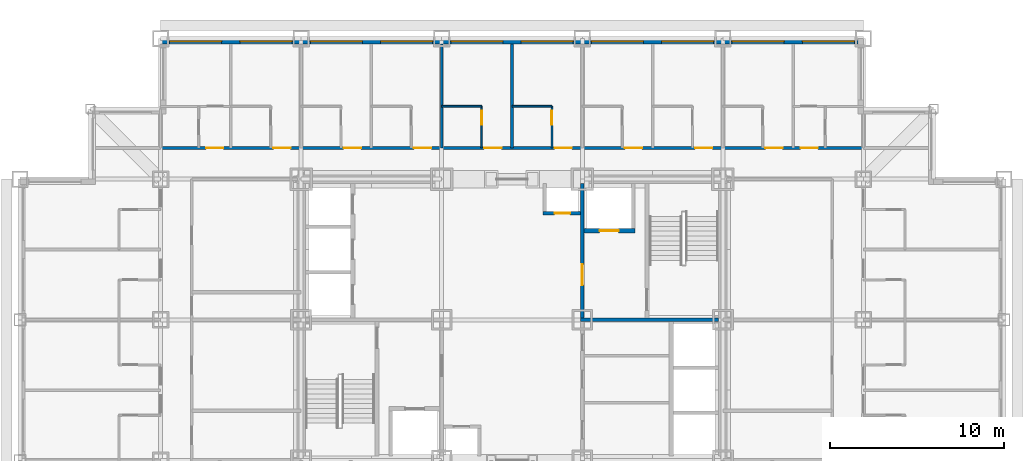
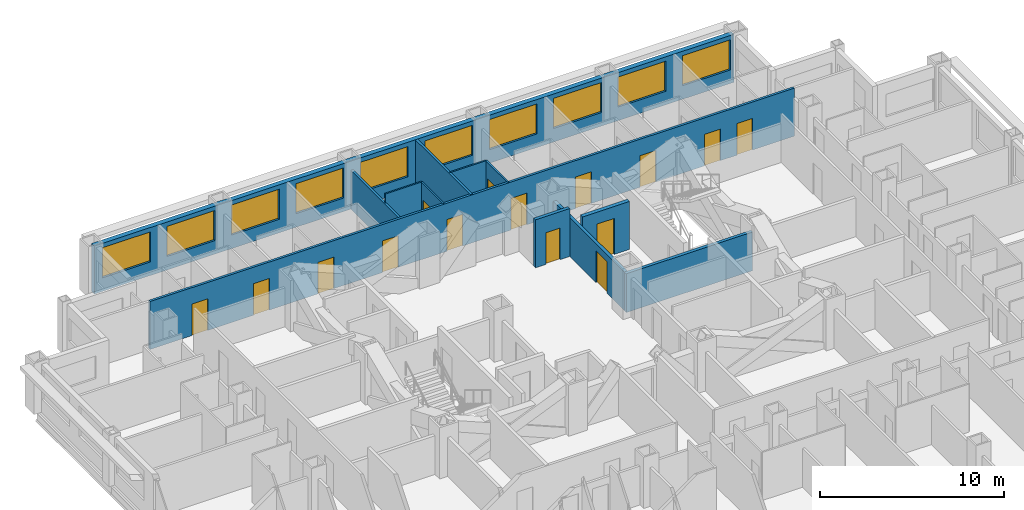
# One storey, part 9 of 12: 15 doors, 12 walls, 10 windows, 25 openings.
"""IFC4 building model written with IfcOpenShell, lengths in metres."""

from ifc_helpers import new_model, si_unit, direction, frame, frame_2d, origin, place, context, subcontext, project, spatial, rectangle, extrude, material, layer, layer_set, type_object, element, fill, save


model = new_model("IFC4")

# Units and contexts
model_context = context("Model", 3, precision=1e-05, world=origin(), true_north=direction((0.0, 1.0)))
body_context = subcontext(model_context, "Body", "Model", "MODEL_VIEW")
ifc_project = project(units=[si_unit("LENGTHUNIT", "METRE"), si_unit("AREAUNIT", "SQUARE_METRE"), si_unit("VOLUMEUNIT", "CUBIC_METRE"), si_unit("PLANEANGLEUNIT", "RADIAN"), si_unit("MASSUNIT", "GRAM", prefix="KILO")], contexts=[model_context])

# Site, building, storey
site_placement = place(None, origin())
site = spatial("IfcSite", under=ifc_project, at=site_placement, CompositionType="ELEMENT")
building_placement = place(site_placement, origin())
building = spatial("IfcBuilding", under=site, at=building_placement, Name="Kopane Lantern Tower", CompositionType="ELEMENT")
storey_placement = place(building_placement, frame((0.0, 0.0, 43.199951171875)))
storey = spatial("IfcBuildingStorey", under=building, at=storey_placement, Name="L09", CompositionType="ELEMENT", Elevation=43.199951171875)

# Wall
ifc_material_1 = material(Name="Moisture-resistant board on steel studs", Category="steel")
ifc_layer_1 = layer(ifc_material_1, 0.10009765625)
ifc_layer_set_1 = layer_set([ifc_layer_1], Name="BATHROOM WALL 100")
wall_type_1 = type_object("IfcWallType", Name="BATHROOM WALL 100", PredefinedType="PARTITIONING", material=ifc_layer_set_1)
wall_1_placement = place(storey_placement, frame((24.300048828125, 44.699951171875, 0.0), z_axis=(0.0, 0.0, 1.0), x_axis=(1.0, 0.0, 0.0)))
element("IfcWall", 1, at=wall_1_placement, inside=storey, type_object=wall_type_1, Name="Bathroom Wall 100 L09", PredefinedType="PARTITIONING", context=body_context, shape_type="SweptSolid", body=[
    extrude(rectangle(XDim=2.300048828125, YDim=0.10009765625, at=frame_2d((1.14990234375, 0.0))), origin(), (0.0, 0.0, 1.0), 3.18994140625),
])

# Wall, opening, door
wall_2_placement = place(storey_placement, frame((26.60009765625, 42.300048828125, 0.0), z_axis=(0.0, 0.0, 1.0), x_axis=(0.0, 1.0, 0.0)))
wall_2 = element("IfcWall", 2, at=wall_2_placement, inside=storey, type_object=wall_type_1, Name="Bathroom Wall 100 L09", PredefinedType="PARTITIONING", context=body_context, shape_type="SweptSolid", body=[
    extrude(rectangle(XDim=2.39990234375, YDim=0.10009765625, at=frame_2d((1.199951171875, 0.0))), origin(), (0.0, 0.0, 1.0), 3.18994140625),
])
opening_1_placement = place(wall_2_placement, frame((1.35009765625, 0.0, 0.0)))
opening_1 = element("IfcOpeningElement", 3, at=opening_1_placement, cuts=wall_2, Name="Opening L09-039", PredefinedType="OPENING", context=body_context, shape_type="SweptSolid", body=[
    extrude(rectangle(XDim=0.800048828125, YDim=2.10009765625, at=frame_2d((0.39990234375, 1.050048828125))), frame((0.0, 0.06005859375, 0.0), z_axis=(0.0, -1.0, 0.0), x_axis=(1.0, 0.0, 0.0)), (0.0, 0.0, 1.0), 0.1201171875),
])
ifc_material_2 = material(Name="Timber door set", Category="wood")
door_type_1 = type_object("IfcDoorType", Name="DOOR D2 800x2100", OperationType="SINGLE_SWING_LEFT", PredefinedType="DOOR", material=ifc_material_2)
door_1_placement = place(opening_1_placement, origin())
door_1 = element("IfcDoor", 4, at=door_1_placement, inside=storey, type_object=door_type_1, Name="Door L09-039", OperationType="SINGLE_SWING_RIGHT", OverallHeight=2.10009765625, OverallWidth=0.800048828125, PredefinedType="DOOR", context=body_context, shape_type="SweptSolid", body=[
    extrude(rectangle(XDim=0.800048828125, YDim=2.10009765625, at=frame_2d((0.39990234375, 1.050048828125))), frame((0.0, 0.02490234375, 0.0), z_axis=(0.0, -1.0, 0.0), x_axis=(1.0, 0.0, 0.0)), (0.0, 0.0, 1.0), 0.050048828125),
])
fill(opening_1, door_1)

# Wall
wall_3_placement = place(storey_placement, frame((28.35009765625, 44.699951171875, 0.0), z_axis=(0.0, 0.0, 1.0), x_axis=(1.0, 0.0, 0.0)))
element("IfcWall", 5, at=wall_3_placement, inside=storey, type_object=wall_type_1, Name="Bathroom Wall 100 L09", PredefinedType="PARTITIONING", context=body_context, shape_type="SweptSolid", body=[
    extrude(rectangle(XDim=2.2998046875, YDim=0.10009765625, at=frame_2d((1.14990234375, 0.0))), origin(), (0.0, 0.0, 1.0), 3.18994140625),
])

# Wall, opening, door
wall_4_placement = place(storey_placement, frame((30.64990234375, 42.300048828125, 0.0), z_axis=(0.0, 0.0, 1.0), x_axis=(0.0, 1.0, 0.0)))
wall_4 = element("IfcWall", 6, at=wall_4_placement, inside=storey, type_object=wall_type_1, Name="Bathroom Wall 100 L09", PredefinedType="PARTITIONING", context=body_context, shape_type="SweptSolid", body=[
    extrude(rectangle(XDim=2.39990234375, YDim=0.10009765625, at=frame_2d((1.199951171875, 0.0))), origin(), (0.0, 0.0, 1.0), 3.18994140625),
])
opening_2_placement = place(wall_4_placement, frame((1.35009765625, 0.0, 0.0)))
opening_2 = element("IfcOpeningElement", 7, at=opening_2_placement, cuts=wall_4, Name="Opening L09-041", PredefinedType="OPENING", context=body_context, shape_type="SweptSolid", body=[
    extrude(rectangle(XDim=0.800048828125, YDim=2.10009765625, at=frame_2d((0.39990234375, 1.050048828125))), frame((0.0, 0.06005859375, 0.0), z_axis=(0.0, -1.0, 0.0), x_axis=(1.0, 0.0, 0.0)), (0.0, 0.0, 1.0), 0.1201171875),
])
door_2_placement = place(opening_2_placement, origin())
door_2 = element("IfcDoor", 8, at=door_2_placement, inside=storey, type_object=door_type_1, Name="Door L09-041", OperationType="SINGLE_SWING_RIGHT", OverallHeight=2.10009765625, OverallWidth=0.800048828125, PredefinedType="DOOR", context=body_context, shape_type="SweptSolid", body=[
    extrude(rectangle(XDim=0.800048828125, YDim=2.10009765625, at=frame_2d((0.39990234375, 1.050048828125))), frame((0.0, 0.02490234375, 0.0), z_axis=(0.0, -1.0, 0.0), x_axis=(1.0, 0.0, 0.0)), (0.0, 0.0, 1.0), 0.050048828125),
])
fill(opening_2, door_2)

ifc_material_3 = material(Name="Gypsum shaft wall EI 120", Category="gypsum")
ifc_layer_2 = layer(ifc_material_3, 0.25)
ifc_layer_set_2 = layer_set([ifc_layer_2], Name="CORE SHAFT WALL 250 EI 120")
wall_type_2 = type_object("IfcWallType", Name="CORE SHAFT WALL 250 EI 120", PredefinedType="SOLIDWALL", material=ifc_layer_set_2)
wall_5_placement = place(storey_placement, frame((32.5, 37.52490234375, 0.0), z_axis=(0.0, 0.0, 1.0), x_axis=(1.0, 0.0, 0.0)))
wall_5 = element("IfcWall", 9, at=wall_5_placement, inside=storey, type_object=wall_type_2, Name="Core shaft wall L09 YLF2", PredefinedType="SOLIDWALL", context=body_context, shape_type="SweptSolid", body=[
    extrude(rectangle(XDim=2.949951171875, YDim=0.25, at=frame_2d((1.47509765625, 0.0))), origin(), (0.0, 0.0, 1.0), 3.18994140625),
])
opening_3_placement = place(wall_5_placement, frame((0.89990234375, 0.0, 0.0)))
opening_3 = element("IfcOpeningElement", 10, at=opening_3_placement, cuts=wall_5, Name="Opening 09.LD-LF2", PredefinedType="OPENING", context=body_context, shape_type="SweptSolid", body=[
    extrude(rectangle(XDim=1.10009765625, YDim=2.39990234375, at=frame_2d((0.550048828125, 1.199951171875))), frame((0.0, 0.135009765625, 0.0), z_axis=(0.0, -1.0, 0.0), x_axis=(1.0, 0.0, 0.0)), (0.0, 0.0, 1.0), 0.27001953125),
])
ifc_material_4 = material(Name="Steel door set", Category="steel")
door_type_2 = type_object("IfcDoorType", Name="LIFT LANDING DOOR 1100x2400 FD60", OperationType="DOUBLE_DOOR_SLIDING", PredefinedType="DOOR", material=ifc_material_4)
door_3_placement = place(opening_3_placement, origin())
door_3 = element("IfcDoor", 11, at=door_3_placement, inside=storey, type_object=door_type_2, Name="Landing door LF2 L09", OperationType="DOUBLE_DOOR_SLIDING", OverallHeight=2.39990234375, OverallWidth=1.10009765625, PredefinedType="DOOR", context=body_context, shape_type="SweptSolid", body=[
    extrude(rectangle(XDim=1.10009765625, YDim=2.39990234375, at=frame_2d((0.550048828125, 1.199951171875))), frame((0.0, 0.02490234375, 0.0), z_axis=(0.0, -1.0, 0.0), x_axis=(1.0, 0.0, 0.0)), (0.0, 0.0, 1.0), 0.050048828125),
])
fill(opening_3, door_3)

# Wall, openings, doors
ifc_material_5 = material(Name="Gypsum board on steel studs", Category="steel")
ifc_layer_3 = layer(ifc_material_5, 0.14990234375)
ifc_layer_set_3 = layer_set([ifc_layer_3], Name="CORRIDOR WALL 150 EI 60")
wall_type_3 = type_object("IfcWallType", Name="CORRIDOR WALL 150 EI 60", PredefinedType="PARTITIONING", material=ifc_layer_set_3)
wall_6_placement = place(storey_placement, frame((8.10009765625, 42.300048828125, 0.0), z_axis=(0.0, 0.0, 1.0), x_axis=(1.0, 0.0, 0.0)))
wall_6 = element("IfcWall", 12, at=wall_6_placement, inside=storey, type_object=wall_type_3, Name="Corridor Wall 150 Ei 60 L09", PredefinedType="PARTITIONING", context=body_context, shape_type="SweptSolid", body=[
    extrude(rectangle(XDim=40.5, YDim=0.14990234375, at=frame_2d((20.25, 0.0))), origin(), (0.0, 0.0, 1.0), 3.18994140625),
])
opening_4_placement = place(wall_6_placement, frame((6.5, 0.0, 0.0)))
opening_4 = element("IfcOpeningElement", 13, at=opening_4_placement, cuts=wall_6, Name="Opening L09-034", PredefinedType="OPENING", context=body_context, shape_type="SweptSolid", body=[
    extrude(rectangle(XDim=1.0, YDim=2.10009765625, at=frame_2d((0.5, 1.050048828125))), frame((0.0, 0.0849609375, 0.0), z_axis=(0.0, -1.0, 0.0), x_axis=(1.0, 0.0, 0.0)), (0.0, 0.0, 1.0), 0.169921875),
])
opening_5_placement = place(wall_6_placement, frame((10.550048828125, 0.0, 0.0)))
opening_5 = element("IfcOpeningElement", 14, at=opening_5_placement, cuts=wall_6, Name="Opening L09-036", PredefinedType="OPENING", context=body_context, shape_type="SweptSolid", body=[
    extrude(rectangle(XDim=1.0, YDim=2.10009765625, at=frame_2d((0.5, 1.050048828125))), frame((0.0, 0.0849609375, 0.0), z_axis=(0.0, -1.0, 0.0), x_axis=(1.0, 0.0, 0.0)), (0.0, 0.0, 1.0), 0.169921875),
])
opening_6_placement = place(wall_6_placement, frame((14.60009765625, 0.0, 0.0)))
opening_6 = element("IfcOpeningElement", 15, at=opening_6_placement, cuts=wall_6, Name="Opening L09-038", PredefinedType="OPENING", context=body_context, shape_type="SweptSolid", body=[
    extrude(rectangle(XDim=1.0, YDim=2.10009765625, at=frame_2d((0.5, 1.050048828125))), frame((0.0, 0.0849609375, 0.0), z_axis=(0.0, -1.0, 0.0), x_axis=(1.0, 0.0, 0.0)), (0.0, 0.0, 1.0), 0.169921875),
])
opening_7_placement = place(wall_6_placement, frame((18.64990234375, 0.0, 0.0)))
opening_7 = element("IfcOpeningElement", 16, at=opening_7_placement, cuts=wall_6, Name="Opening L09-040", PredefinedType="OPENING", context=body_context, shape_type="SweptSolid", body=[
    extrude(rectangle(XDim=1.0, YDim=2.10009765625, at=frame_2d((0.5, 1.050048828125))), frame((0.0, 0.0849609375, 0.0), z_axis=(0.0, -1.0, 0.0), x_axis=(1.0, 0.0, 0.0)), (0.0, 0.0, 1.0), 0.169921875),
])
opening_8_placement = place(wall_6_placement, frame((22.699951171875, 0.0, 0.0)))
opening_8 = element("IfcOpeningElement", 17, at=opening_8_placement, cuts=wall_6, Name="Opening L09-042", PredefinedType="OPENING", context=body_context, shape_type="SweptSolid", body=[
    extrude(rectangle(XDim=1.0, YDim=2.10009765625, at=frame_2d((0.5, 1.050048828125))), frame((0.0, 0.0849609375, 0.0), z_axis=(0.0, -1.0, 0.0), x_axis=(1.0, 0.0, 0.0)), (0.0, 0.0, 1.0), 0.169921875),
])
opening_9_placement = place(wall_6_placement, frame((26.75, 0.0, 0.0)))
opening_9 = element("IfcOpeningElement", 18, at=opening_9_placement, cuts=wall_6, Name="Opening L09-044", PredefinedType="OPENING", context=body_context, shape_type="SweptSolid", body=[
    extrude(rectangle(XDim=1.0, YDim=2.10009765625, at=frame_2d((0.5, 1.050048828125))), frame((0.0, 0.0849609375, 0.0), z_axis=(0.0, -1.0, 0.0), x_axis=(1.0, 0.0, 0.0)), (0.0, 0.0, 1.0), 0.169921875),
])
opening_10_placement = place(wall_6_placement, frame((30.800048828125, 0.0, 0.0)))
opening_10 = element("IfcOpeningElement", 19, at=opening_10_placement, cuts=wall_6, Name="Opening L09-046", PredefinedType="OPENING", context=body_context, shape_type="SweptSolid", body=[
    extrude(rectangle(XDim=1.0, YDim=2.10009765625, at=frame_2d((0.5, 1.050048828125))), frame((0.0, 0.0849609375, 0.0), z_axis=(0.0, -1.0, 0.0), x_axis=(1.0, 0.0, 0.0)), (0.0, 0.0, 1.0), 0.169921875),
])
opening_11_placement = place(wall_6_placement, frame((34.85009765625, 0.0, 0.0)))
opening_11 = element("IfcOpeningElement", 20, at=opening_11_placement, cuts=wall_6, Name="Opening L09-048", PredefinedType="OPENING", context=body_context, shape_type="SweptSolid", body=[
    extrude(rectangle(XDim=1.0, YDim=2.10009765625, at=frame_2d((0.5, 1.050048828125))), frame((0.0, 0.0849609375, 0.0), z_axis=(0.0, -1.0, 0.0), x_axis=(1.0, 0.0, 0.0)), (0.0, 0.0, 1.0), 0.169921875),
])
opening_12_placement = place(wall_6_placement, frame((36.875, 0.0, 0.0)))
opening_12 = element("IfcOpeningElement", 21, at=opening_12_placement, cuts=wall_6, Name="Opening L09-084", PredefinedType="OPENING", context=body_context, shape_type="SweptSolid", body=[
    extrude(rectangle(XDim=1.0, YDim=2.10009765625, at=frame_2d((0.5, 1.050048828125))), frame((0.0, 0.0849609375, 0.0), z_axis=(0.0, -1.0, 0.0), x_axis=(1.0, 0.0, 0.0)), (0.0, 0.0, 1.0), 0.169921875),
])
opening_13_placement = place(wall_6_placement, frame((2.625, 0.0, 0.0)))
opening_13 = element("IfcOpeningElement", 22, at=opening_13_placement, cuts=wall_6, Name="Opening L09-087", PredefinedType="OPENING", context=body_context, shape_type="SweptSolid", body=[
    extrude(rectangle(XDim=1.0, YDim=2.10009765625, at=frame_2d((0.5, 1.050048828125))), frame((0.0, 0.0849609375, 0.0), z_axis=(0.0, -1.0, 0.0), x_axis=(1.0, 0.0, 0.0)), (0.0, 0.0, 1.0), 0.169921875),
])
ifc_material_6 = material(Name="Steel door set", Category="steel")
door_type_3 = type_object("IfcDoorType", Name="DOOR D1 1000x2100 FD30S", OperationType="SINGLE_SWING_LEFT", PredefinedType="DOOR", material=ifc_material_6)
door_4_placement = place(opening_4_placement, origin())
door_4 = element("IfcDoor", 23, at=door_4_placement, inside=storey, type_object=door_type_3, Name="Door L09-034", OperationType="SINGLE_SWING_LEFT", OverallHeight=2.10009765625, OverallWidth=1.0, PredefinedType="DOOR", context=body_context, shape_type="SweptSolid", body=[
    extrude(rectangle(XDim=1.0, YDim=2.10009765625, at=frame_2d((0.5, 1.050048828125))), frame((0.0, 0.02490234375, 0.0), z_axis=(0.0, -1.0, 0.0), x_axis=(1.0, 0.0, 0.0)), (0.0, 0.0, 1.0), 0.050048828125),
])
fill(opening_4, door_4)
door_5_placement = place(opening_5_placement, origin())
door_5 = element("IfcDoor", 24, at=door_5_placement, inside=storey, type_object=door_type_3, Name="Door L09-036", OperationType="SINGLE_SWING_LEFT", OverallHeight=2.10009765625, OverallWidth=1.0, PredefinedType="DOOR", context=body_context, shape_type="SweptSolid", body=[
    extrude(rectangle(XDim=1.0, YDim=2.10009765625, at=frame_2d((0.5, 1.050048828125))), frame((0.0, 0.02490234375, 0.0), z_axis=(0.0, -1.0, 0.0), x_axis=(1.0, 0.0, 0.0)), (0.0, 0.0, 1.0), 0.050048828125),
])
fill(opening_5, door_5)
door_6_placement = place(opening_6_placement, origin())
door_6 = element("IfcDoor", 25, at=door_6_placement, inside=storey, type_object=door_type_3, Name="Door L09-038", OperationType="SINGLE_SWING_LEFT", OverallHeight=2.10009765625, OverallWidth=1.0, PredefinedType="DOOR", context=body_context, shape_type="SweptSolid", body=[
    extrude(rectangle(XDim=1.0, YDim=2.10009765625, at=frame_2d((0.5, 1.050048828125))), frame((0.0, 0.02490234375, 0.0), z_axis=(0.0, -1.0, 0.0), x_axis=(1.0, 0.0, 0.0)), (0.0, 0.0, 1.0), 0.050048828125),
])
fill(opening_6, door_6)
door_7_placement = place(opening_7_placement, origin())
door_7 = element("IfcDoor", 26, at=door_7_placement, inside=storey, type_object=door_type_3, Name="Door L09-040", OperationType="SINGLE_SWING_LEFT", OverallHeight=2.10009765625, OverallWidth=1.0, PredefinedType="DOOR", context=body_context, shape_type="SweptSolid", body=[
    extrude(rectangle(XDim=1.0, YDim=2.10009765625, at=frame_2d((0.5, 1.050048828125))), frame((0.0, 0.02490234375, 0.0), z_axis=(0.0, -1.0, 0.0), x_axis=(1.0, 0.0, 0.0)), (0.0, 0.0, 1.0), 0.050048828125),
])
fill(opening_7, door_7)
door_8_placement = place(opening_8_placement, origin())
door_8 = element("IfcDoor", 27, at=door_8_placement, inside=storey, type_object=door_type_3, Name="Door L09-042", OperationType="SINGLE_SWING_LEFT", OverallHeight=2.10009765625, OverallWidth=1.0, PredefinedType="DOOR", context=body_context, shape_type="SweptSolid", body=[
    extrude(rectangle(XDim=1.0, YDim=2.10009765625, at=frame_2d((0.5, 1.050048828125))), frame((0.0, 0.02490234375, 0.0), z_axis=(0.0, -1.0, 0.0), x_axis=(1.0, 0.0, 0.0)), (0.0, 0.0, 1.0), 0.050048828125),
])
fill(opening_8, door_8)
door_9_placement = place(opening_9_placement, origin())
door_9 = element("IfcDoor", 28, at=door_9_placement, inside=storey, type_object=door_type_3, Name="Door L09-044", OperationType="SINGLE_SWING_LEFT", OverallHeight=2.10009765625, OverallWidth=1.0, PredefinedType="DOOR", context=body_context, shape_type="SweptSolid", body=[
    extrude(rectangle(XDim=1.0, YDim=2.10009765625, at=frame_2d((0.5, 1.050048828125))), frame((0.0, 0.02490234375, 0.0), z_axis=(0.0, -1.0, 0.0), x_axis=(1.0, 0.0, 0.0)), (0.0, 0.0, 1.0), 0.050048828125),
])
fill(opening_9, door_9)
door_10_placement = place(opening_10_placement, origin())
door_10 = element("IfcDoor", 29, at=door_10_placement, inside=storey, type_object=door_type_3, Name="Door L09-046", OperationType="SINGLE_SWING_LEFT", OverallHeight=2.10009765625, OverallWidth=1.0, PredefinedType="DOOR", context=body_context, shape_type="SweptSolid", body=[
    extrude(rectangle(XDim=1.0, YDim=2.10009765625, at=frame_2d((0.5, 1.050048828125))), frame((0.0, 0.02490234375, 0.0), z_axis=(0.0, -1.0, 0.0), x_axis=(1.0, 0.0, 0.0)), (0.0, 0.0, 1.0), 0.050048828125),
])
fill(opening_10, door_10)
door_11_placement = place(opening_11_placement, origin())
door_11 = element("IfcDoor", 30, at=door_11_placement, inside=storey, type_object=door_type_3, Name="Door L09-048", OperationType="SINGLE_SWING_LEFT", OverallHeight=2.10009765625, OverallWidth=1.0, PredefinedType="DOOR", context=body_context, shape_type="SweptSolid", body=[
    extrude(rectangle(XDim=1.0, YDim=2.10009765625, at=frame_2d((0.5, 1.050048828125))), frame((0.0, 0.02490234375, 0.0), z_axis=(0.0, -1.0, 0.0), x_axis=(1.0, 0.0, 0.0)), (0.0, 0.0, 1.0), 0.050048828125),
])
fill(opening_11, door_11)
door_12_placement = place(opening_12_placement, origin())
door_12 = element("IfcDoor", 31, at=door_12_placement, inside=storey, type_object=door_type_3, Name="Door L09-084", OperationType="SINGLE_SWING_RIGHT", OverallHeight=2.10009765625, OverallWidth=1.0, PredefinedType="DOOR", context=body_context, shape_type="SweptSolid", body=[
    extrude(rectangle(XDim=1.0, YDim=2.10009765625, at=frame_2d((0.5, 1.050048828125))), frame((0.0, 0.02490234375, 0.0), z_axis=(0.0, -1.0, 0.0), x_axis=(1.0, 0.0, 0.0)), (0.0, 0.0, 1.0), 0.050048828125),
])
fill(opening_12, door_12)
door_13_placement = place(opening_13_placement, origin())
door_13 = element("IfcDoor", 32, at=door_13_placement, inside=storey, type_object=door_type_3, Name="Door L09-087", OperationType="SINGLE_SWING_LEFT", OverallHeight=2.10009765625, OverallWidth=1.0, PredefinedType="DOOR", context=body_context, shape_type="SweptSolid", body=[
    extrude(rectangle(XDim=1.0, YDim=2.10009765625, at=frame_2d((0.5, 1.050048828125))), frame((0.0, 0.02490234375, 0.0), z_axis=(0.0, -1.0, 0.0), x_axis=(1.0, 0.0, 0.0)), (0.0, 0.0, 1.0), 0.050048828125),
])
fill(opening_13, door_13)

# Walls
ifc_material_7 = material(Name="Gypsum board on steel studs", Category="steel")
ifc_layer_4 = layer(ifc_material_7, 0.14990234375)
ifc_layer_set_4 = layer_set([ifc_layer_4], Name="DEMISING WALL 150 EI 60")
wall_type_4 = type_object("IfcWallType", Name="DEMISING WALL 150 EI 60", PredefinedType="PARTITIONING", material=ifc_layer_set_4)
wall_7_placement = place(storey_placement, frame((24.300048828125, 42.300048828125, 0.0), z_axis=(0.0, 0.0, 1.0), x_axis=(0.0, 1.0, 0.0)))
element("IfcWall", 33, at=wall_7_placement, inside=storey, type_object=wall_type_4, Name="Demising Wall 150 Ei 60 L09", PredefinedType="PARTITIONING", context=body_context, shape_type="SweptSolid", body=[
    extrude(rectangle(XDim=6.0, YDim=0.14990234375, at=frame_2d((3.0, 0.0))), origin(), (0.0, 0.0, 1.0), 2.577880859375),
])
wall_8_placement = place(storey_placement, frame((28.35009765625, 42.300048828125, 0.0), z_axis=(0.0, 0.0, 1.0), x_axis=(0.0, 1.0, 0.0)))
element("IfcWall", 34, at=wall_8_placement, inside=storey, type_object=wall_type_4, Name="Demising Wall 150 Ei 60 L09", PredefinedType="PARTITIONING", context=body_context, shape_type="SweptSolid", body=[
    extrude(rectangle(XDim=6.0, YDim=0.14990234375, at=frame_2d((3.0, 0.0))), origin(), (0.0, 0.0, 1.0), 3.18994140625),
])

# Wall, openings, windows
ifc_material_8 = material(Name="Terracotta rainscreen on light steel framing", Category="masonry")
ifc_layer_5 = layer(ifc_material_8, 0.300048828125)
ifc_layer_set_5 = layer_set([ifc_layer_5], Name="EXTERNAL WALL EW1 300 TERRACOTTA")
wall_type_5 = type_object("IfcWallType", Name="EXTERNAL WALL EW1 300 TERRACOTTA", PredefinedType="SOLIDWALL", material=ifc_layer_set_5)
wall_9_placement = place(storey_placement, frame((48.300048828125, 48.449951171875, 0.0), z_axis=(0.0, 0.0, 1.0), x_axis=(-1.0, 0.0, 0.0)))
wall_9 = element("IfcWall", 35, at=wall_9_placement, inside=storey, type_object=wall_type_5, Name="External wall N L09", PredefinedType="SOLIDWALL", context=body_context, shape_type="SweptSolid", body=[
    extrude(rectangle(XDim=40.199951171875, YDim=0.300048828125, at=frame_2d((20.10009765625, 0.0))), origin(), (0.0, 0.0, 1.0), 3.18994140625),
])
opening_14_placement = place(wall_9_placement, frame((0.22509765625, 0.0, 0.89990234375)))
opening_14 = element("IfcOpeningElement", 36, at=opening_14_placement, cuts=wall_9, Name="Opening WR300200", PredefinedType="OPENING", context=body_context, shape_type="SweptSolid", body=[
    extrude(rectangle(XDim=3.0, YDim=2.0, at=frame_2d((1.5, 1.0))), frame((0.0, 0.159912109375, 0.0), z_axis=(0.0, -1.0, 0.0), x_axis=(1.0, 0.0, 0.0)), (0.0, 0.0, 1.0), 0.320068359375),
])
opening_15_placement = place(wall_9_placement, frame((4.27490234375, 0.0, 0.89990234375)))
opening_15 = element("IfcOpeningElement", 37, at=opening_15_placement, cuts=wall_9, Name="Opening WR300200", PredefinedType="OPENING", context=body_context, shape_type="SweptSolid", body=[
    extrude(rectangle(XDim=3.0, YDim=2.0, at=frame_2d((1.5, 1.0))), frame((0.0, 0.159912109375, 0.0), z_axis=(0.0, -1.0, 0.0), x_axis=(1.0, 0.0, 0.0)), (0.0, 0.0, 1.0), 0.320068359375),
])
opening_16_placement = place(wall_9_placement, frame((8.324951171875, 0.0, 0.89990234375)))
opening_16 = element("IfcOpeningElement", 38, at=opening_16_placement, cuts=wall_9, Name="Opening WR300200", PredefinedType="OPENING", context=body_context, shape_type="SweptSolid", body=[
    extrude(rectangle(XDim=3.0, YDim=2.0, at=frame_2d((1.5, 1.0))), frame((0.0, 0.159912109375, 0.0), z_axis=(0.0, -1.0, 0.0), x_axis=(1.0, 0.0, 0.0)), (0.0, 0.0, 1.0), 0.320068359375),
])
opening_17_placement = place(wall_9_placement, frame((12.375, 0.0, 0.89990234375)))
opening_17 = element("IfcOpeningElement", 39, at=opening_17_placement, cuts=wall_9, Name="Opening WR300200", PredefinedType="OPENING", context=body_context, shape_type="SweptSolid", body=[
    extrude(rectangle(XDim=3.0, YDim=2.0, at=frame_2d((1.5, 1.0))), frame((0.0, 0.159912109375, 0.0), z_axis=(0.0, -1.0, 0.0), x_axis=(1.0, 0.0, 0.0)), (0.0, 0.0, 1.0), 0.320068359375),
])
opening_18_placement = place(wall_9_placement, frame((16.425048828125, 0.0, 0.89990234375)))
opening_18 = element("IfcOpeningElement", 40, at=opening_18_placement, cuts=wall_9, Name="Opening WR300200", PredefinedType="OPENING", context=body_context, shape_type="SweptSolid", body=[
    extrude(rectangle(XDim=3.0, YDim=2.0, at=frame_2d((1.5, 1.0))), frame((0.0, 0.159912109375, 0.0), z_axis=(0.0, -1.0, 0.0), x_axis=(1.0, 0.0, 0.0)), (0.0, 0.0, 1.0), 0.320068359375),
])
opening_19_placement = place(wall_9_placement, frame((20.47509765625, 0.0, 0.89990234375)))
opening_19 = element("IfcOpeningElement", 41, at=opening_19_placement, cuts=wall_9, Name="Opening WR300200", PredefinedType="OPENING", context=body_context, shape_type="SweptSolid", body=[
    extrude(rectangle(XDim=3.0, YDim=2.0, at=frame_2d((1.5, 1.0))), frame((0.0, 0.159912109375, 0.0), z_axis=(0.0, -1.0, 0.0), x_axis=(1.0, 0.0, 0.0)), (0.0, 0.0, 1.0), 0.320068359375),
])
opening_20_placement = place(wall_9_placement, frame((24.52490234375, 0.0, 0.89990234375)))
opening_20 = element("IfcOpeningElement", 42, at=opening_20_placement, cuts=wall_9, Name="Opening WR300200", PredefinedType="OPENING", context=body_context, shape_type="SweptSolid", body=[
    extrude(rectangle(XDim=3.0, YDim=2.0, at=frame_2d((1.5, 1.0))), frame((0.0, 0.159912109375, 0.0), z_axis=(0.0, -1.0, 0.0), x_axis=(1.0, 0.0, 0.0)), (0.0, 0.0, 1.0), 0.320068359375),
])
opening_21_placement = place(wall_9_placement, frame((28.574951171875, 0.0, 0.89990234375)))
opening_21 = element("IfcOpeningElement", 43, at=opening_21_placement, cuts=wall_9, Name="Opening WR300200", PredefinedType="OPENING", context=body_context, shape_type="SweptSolid", body=[
    extrude(rectangle(XDim=3.0, YDim=2.0, at=frame_2d((1.5, 1.0))), frame((0.0, 0.159912109375, 0.0), z_axis=(0.0, -1.0, 0.0), x_axis=(1.0, 0.0, 0.0)), (0.0, 0.0, 1.0), 0.320068359375),
])
opening_22_placement = place(wall_9_placement, frame((32.625, 0.0, 0.89990234375)))
opening_22 = element("IfcOpeningElement", 44, at=opening_22_placement, cuts=wall_9, Name="Opening WR300200", PredefinedType="OPENING", context=body_context, shape_type="SweptSolid", body=[
    extrude(rectangle(XDim=3.0, YDim=2.0, at=frame_2d((1.5, 1.0))), frame((0.0, 0.159912109375, 0.0), z_axis=(0.0, -1.0, 0.0), x_axis=(1.0, 0.0, 0.0)), (0.0, 0.0, 1.0), 0.320068359375),
])
opening_23_placement = place(wall_9_placement, frame((36.675048828125, 0.0, 0.89990234375)))
opening_23 = element("IfcOpeningElement", 45, at=opening_23_placement, cuts=wall_9, Name="Opening WR300200", PredefinedType="OPENING", context=body_context, shape_type="SweptSolid", body=[
    extrude(rectangle(XDim=3.0, YDim=2.0, at=frame_2d((1.5, 1.0))), frame((0.0, 0.159912109375, 0.0), z_axis=(0.0, -1.0, 0.0), x_axis=(1.0, 0.0, 0.0)), (0.0, 0.0, 1.0), 0.320068359375),
])
ifc_material_9 = material(Name="Aluminium and clear glass", Category="aluminium")
window_type = type_object("IfcWindowType", Name="RIBBON WINDOW WR300200 3000x2000", PartitioningType="SINGLE_PANEL", PredefinedType="WINDOW", material=ifc_material_9)
window_1_placement = place(opening_14_placement, origin())
window_1 = element("IfcWindow", 46, at=window_1_placement, inside=storey, type_object=window_type, Name="Window N L09", OverallHeight=2.0, OverallWidth=3.0, PartitioningType="SINGLE_PANEL", PredefinedType="WINDOW", context=body_context, shape_type="SweptSolid", body=[
    extrude(rectangle(XDim=3.0, YDim=2.0, at=frame_2d((1.5, 1.0))), frame((0.0, 0.030029296875, 0.0), z_axis=(0.0, -1.0, 0.0), x_axis=(1.0, 0.0, 0.0)), (0.0, 0.0, 1.0), 0.06005859375),
])
fill(opening_14, window_1)
window_2_placement = place(opening_15_placement, origin())
window_2 = element("IfcWindow", 47, at=window_2_placement, inside=storey, type_object=window_type, Name="Window N L09", OverallHeight=2.0, OverallWidth=3.0, PartitioningType="SINGLE_PANEL", PredefinedType="WINDOW", context=body_context, shape_type="SweptSolid", body=[
    extrude(rectangle(XDim=3.0, YDim=2.0, at=frame_2d((1.5, 1.0))), frame((0.0, 0.030029296875, 0.0), z_axis=(0.0, -1.0, 0.0), x_axis=(1.0, 0.0, 0.0)), (0.0, 0.0, 1.0), 0.06005859375),
])
fill(opening_15, window_2)
window_3_placement = place(opening_16_placement, origin())
window_3 = element("IfcWindow", 48, at=window_3_placement, inside=storey, type_object=window_type, Name="Window N L09", OverallHeight=2.0, OverallWidth=3.0, PartitioningType="SINGLE_PANEL", PredefinedType="WINDOW", context=body_context, shape_type="SweptSolid", body=[
    extrude(rectangle(XDim=3.0, YDim=2.0, at=frame_2d((1.5, 1.0))), frame((0.0, 0.030029296875, 0.0), z_axis=(0.0, -1.0, 0.0), x_axis=(1.0, 0.0, 0.0)), (0.0, 0.0, 1.0), 0.06005859375),
])
fill(opening_16, window_3)
window_4_placement = place(opening_17_placement, origin())
window_4 = element("IfcWindow", 49, at=window_4_placement, inside=storey, type_object=window_type, Name="Window N L09", OverallHeight=2.0, OverallWidth=3.0, PartitioningType="SINGLE_PANEL", PredefinedType="WINDOW", context=body_context, shape_type="SweptSolid", body=[
    extrude(rectangle(XDim=3.0, YDim=2.0, at=frame_2d((1.5, 1.0))), frame((0.0, 0.030029296875, 0.0), z_axis=(0.0, -1.0, 0.0), x_axis=(1.0, 0.0, 0.0)), (0.0, 0.0, 1.0), 0.06005859375),
])
fill(opening_17, window_4)
window_5_placement = place(opening_18_placement, origin())
window_5 = element("IfcWindow", 50, at=window_5_placement, inside=storey, type_object=window_type, Name="Window N L09", OverallHeight=2.0, OverallWidth=3.0, PartitioningType="SINGLE_PANEL", PredefinedType="WINDOW", context=body_context, shape_type="SweptSolid", body=[
    extrude(rectangle(XDim=3.0, YDim=2.0, at=frame_2d((1.5, 1.0))), frame((0.0, 0.030029296875, 0.0), z_axis=(0.0, -1.0, 0.0), x_axis=(1.0, 0.0, 0.0)), (0.0, 0.0, 1.0), 0.06005859375),
])
fill(opening_18, window_5)
window_6_placement = place(opening_19_placement, origin())
window_6 = element("IfcWindow", 51, at=window_6_placement, inside=storey, type_object=window_type, Name="Window N L09", OverallHeight=2.0, OverallWidth=3.0, PartitioningType="SINGLE_PANEL", PredefinedType="WINDOW", context=body_context, shape_type="SweptSolid", body=[
    extrude(rectangle(XDim=3.0, YDim=2.0, at=frame_2d((1.5, 1.0))), frame((0.0, 0.030029296875, 0.0), z_axis=(0.0, -1.0, 0.0), x_axis=(1.0, 0.0, 0.0)), (0.0, 0.0, 1.0), 0.06005859375),
])
fill(opening_19, window_6)
window_7_placement = place(opening_20_placement, origin())
window_7 = element("IfcWindow", 52, at=window_7_placement, inside=storey, type_object=window_type, Name="Window N L09", OverallHeight=2.0, OverallWidth=3.0, PartitioningType="SINGLE_PANEL", PredefinedType="WINDOW", context=body_context, shape_type="SweptSolid", body=[
    extrude(rectangle(XDim=3.0, YDim=2.0, at=frame_2d((1.5, 1.0))), frame((0.0, 0.030029296875, 0.0), z_axis=(0.0, -1.0, 0.0), x_axis=(1.0, 0.0, 0.0)), (0.0, 0.0, 1.0), 0.06005859375),
])
fill(opening_20, window_7)
window_8_placement = place(opening_21_placement, origin())
window_8 = element("IfcWindow", 53, at=window_8_placement, inside=storey, type_object=window_type, Name="Window N L09", OverallHeight=2.0, OverallWidth=3.0, PartitioningType="SINGLE_PANEL", PredefinedType="WINDOW", context=body_context, shape_type="SweptSolid", body=[
    extrude(rectangle(XDim=3.0, YDim=2.0, at=frame_2d((1.5, 1.0))), frame((0.0, 0.030029296875, 0.0), z_axis=(0.0, -1.0, 0.0), x_axis=(1.0, 0.0, 0.0)), (0.0, 0.0, 1.0), 0.06005859375),
])
fill(opening_21, window_8)
window_9_placement = place(opening_22_placement, origin())
window_9 = element("IfcWindow", 54, at=window_9_placement, inside=storey, type_object=window_type, Name="Window N L09", OverallHeight=2.0, OverallWidth=3.0, PartitioningType="SINGLE_PANEL", PredefinedType="WINDOW", context=body_context, shape_type="SweptSolid", body=[
    extrude(rectangle(XDim=3.0, YDim=2.0, at=frame_2d((1.5, 1.0))), frame((0.0, 0.030029296875, 0.0), z_axis=(0.0, -1.0, 0.0), x_axis=(1.0, 0.0, 0.0)), (0.0, 0.0, 1.0), 0.06005859375),
])
fill(opening_22, window_9)
window_10_placement = place(opening_23_placement, origin())
window_10 = element("IfcWindow", 55, at=window_10_placement, inside=storey, type_object=window_type, Name="Window N L09", OverallHeight=2.0, OverallWidth=3.0, PartitioningType="SINGLE_PANEL", PredefinedType="WINDOW", context=body_context, shape_type="SweptSolid", body=[
    extrude(rectangle(XDim=3.0, YDim=2.0, at=frame_2d((1.5, 1.0))), frame((0.0, 0.030029296875, 0.0), z_axis=(0.0, -1.0, 0.0), x_axis=(1.0, 0.0, 0.0)), (0.0, 0.0, 1.0), 0.06005859375),
])
fill(opening_23, window_10)

# Wall
ifc_material_10 = material(Name="Gypsum shaft wall EI 120", Category="gypsum")
ifc_layer_6 = layer(ifc_material_10, 0.199951171875)
ifc_layer_set_6 = layer_set([ifc_layer_6], Name="SHAFT WALL 200 EI 120")
wall_type_6 = type_object("IfcWallType", Name="SHAFT WALL 200 EI 120", PredefinedType="SOLIDWALL", material=ifc_layer_set_6)
wall_10_placement = place(storey_placement, frame((32.300048828125, 32.39990234375, 0.0), z_axis=(0.0, 0.0, 1.0), x_axis=(1.0, 0.0, 0.0)))
element("IfcWall", 56, at=wall_10_placement, inside=storey, type_object=wall_type_6, Name="Core shaft wall L09 Y324E", PredefinedType="SOLIDWALL", context=body_context, shape_type="SweptSolid", body=[
    extrude(rectangle(XDim=7.949951171875, YDim=0.199951171875, at=frame_2d((3.97509765625, 0.0))), origin(), (0.0, 0.0, 1.0), 2.577880859375),
])

# Wall, opening, door
wall_11_placement = place(storey_placement, frame((32.39990234375, 32.5, 0.0), z_axis=(0.0, 0.0, 1.0), x_axis=(0.0, 1.0, 0.0)))
wall_11 = element("IfcWall", 57, at=wall_11_placement, inside=storey, type_object=wall_type_6, Name="Core shaft wall L09 X324", PredefinedType="SOLIDWALL", context=body_context, shape_type="SweptSolid", body=[
    extrude(rectangle(XDim=7.75, YDim=0.199951171875, at=frame_2d((3.875, 0.0))), origin(), (0.0, 0.0, 1.0), 2.577880859375),
])
opening_24_placement = place(wall_11_placement, frame((1.89990234375, 0.0, 0.0)))
opening_24 = element("IfcOpeningElement", 58, at=opening_24_placement, cuts=wall_11, Name="Opening 09.FL2", PredefinedType="OPENING", context=body_context, shape_type="SweptSolid", body=[
    extrude(rectangle(XDim=1.199951171875, YDim=2.10009765625, at=frame_2d((0.60009765625, 1.050048828125))), frame((0.0, 0.10986328125, 0.0), z_axis=(0.0, -1.0, 0.0), x_axis=(1.0, 0.0, 0.0)), (0.0, 0.0, 1.0), 0.219970703125),
])
ifc_material_11 = material(Name="Steel door set", Category="steel")
door_type_4 = type_object("IfcDoorType", Name="FIREFIGHTING LOBBY DOOR 1200x2100 FD60S", OperationType="SINGLE_SWING_RIGHT", PredefinedType="DOOR", material=ifc_material_11)
door_14_placement = place(opening_24_placement, origin())
door_14 = element("IfcDoor", 59, at=door_14_placement, inside=storey, type_object=door_type_4, Name="Firefighting lobby door FL2 L09", OperationType="SINGLE_SWING_LEFT", OverallHeight=2.10009765625, OverallWidth=1.199951171875, PredefinedType="DOOR", context=body_context, shape_type="SweptSolid", body=[
    extrude(rectangle(XDim=1.199951171875, YDim=2.10009765625, at=frame_2d((0.60009765625, 1.050048828125))), frame((0.0, 0.02490234375, 0.0), z_axis=(0.0, -1.0, 0.0), x_axis=(1.0, 0.0, 0.0)), (0.0, 0.0, 1.0), 0.050048828125),
])
fill(opening_24, door_14)

wall_12_placement = place(storey_placement, frame((30.14990234375, 38.550048828125, 0.0), z_axis=(0.0, 0.0, 1.0), x_axis=(1.0, 0.0, 0.0)))
wall_12 = element("IfcWall", 60, at=wall_12_placement, inside=storey, type_object=wall_type_6, Name="Core shaft wall L09 YRS2", PredefinedType="SOLIDWALL", context=body_context, shape_type="SweptSolid", body=[
    extrude(rectangle(XDim=2.150146484375, YDim=0.199951171875, at=frame_2d((1.0751953125, 0.0))), origin(), (0.0, 0.0, 1.0), 3.18994140625),
])
opening_25_placement = place(wall_12_placement, frame((0.64990234375, 0.0, 0.0)))
opening_25 = element("IfcOpeningElement", 61, at=opening_25_placement, cuts=wall_12, Name="Opening 09.RS2", PredefinedType="OPENING", context=body_context, shape_type="SweptSolid", body=[
    extrude(rectangle(XDim=0.89990234375, YDim=2.10009765625, at=frame_2d((0.449951171875, 1.050048828125))), frame((0.0, 0.10986328125, 0.0), z_axis=(0.0, -1.0, 0.0), x_axis=(1.0, 0.0, 0.0)), (0.0, 0.0, 1.0), 0.219970703125),
])
ifc_material_12 = material(Name="Steel door set", Category="steel")
door_type_5 = type_object("IfcDoorType", Name="RISER ACCESS DOOR 900x2100 FD60", OperationType="SINGLE_SWING_LEFT", PredefinedType="DOOR", material=ifc_material_12)
door_15_placement = place(opening_25_placement, origin())
door_15 = element("IfcDoor", 62, at=door_15_placement, inside=storey, type_object=door_type_5, Name="Riser access door RS2 L09", OperationType="SINGLE_SWING_LEFT", OverallHeight=2.10009765625, OverallWidth=0.89990234375, PredefinedType="DOOR", context=body_context, shape_type="SweptSolid", body=[
    extrude(rectangle(XDim=0.89990234375, YDim=2.10009765625, at=frame_2d((0.449951171875, 1.050048828125))), frame((0.0, 0.02490234375, 0.0), z_axis=(0.0, -1.0, 0.0), x_axis=(1.0, 0.0, 0.0)), (0.0, 0.0, 1.0), 0.050048828125),
])
fill(opening_25, door_15)

save(model, "model.ifc")
